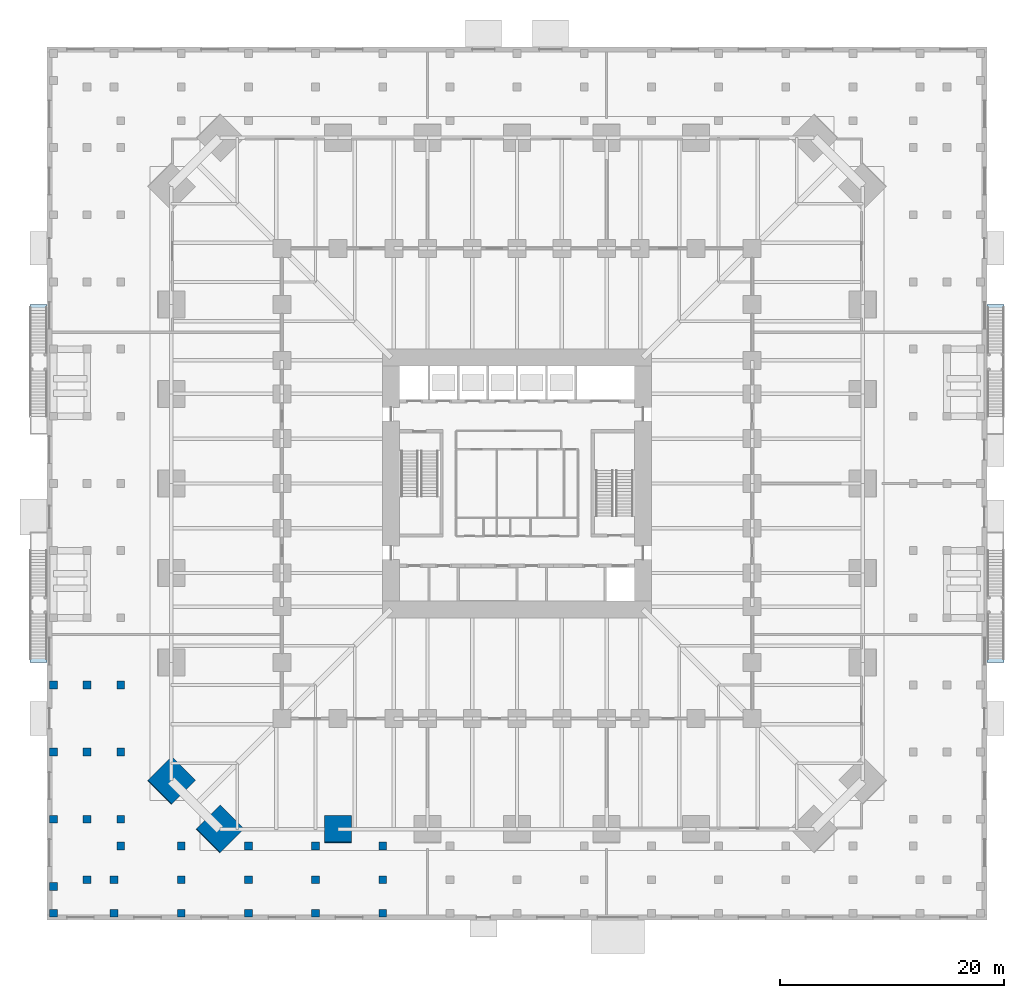
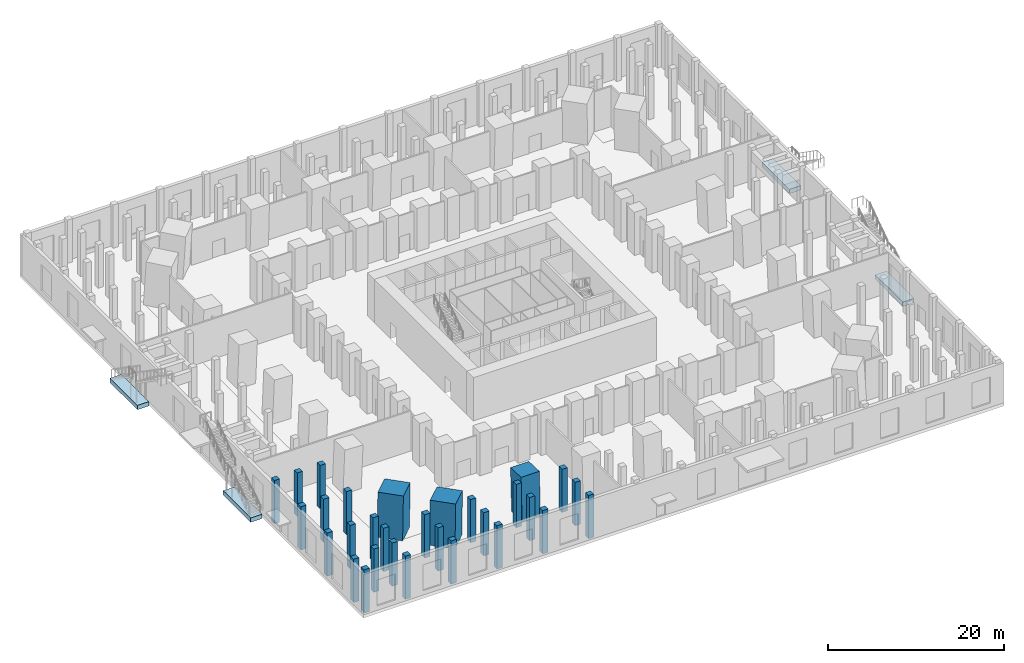
# One storey, part 1 of 20: 30 columns, 4 footings.
"""IFC4 building model written with IfcOpenShell, lengths in metres."""

from ifc_helpers import new_model, si_unit, direction, frame, origin, origin_2d, place, context, subcontext, project, spatial, polyline, rectangle, outline, extrude, material, layer, layer_set, material_profile, profile_set, type_object, element, save


model = new_model("IFC4")

# Units and contexts
model_context = context("Model", 3, precision=1e-05, world=origin(), true_north=direction((0.0, 1.0)))
body_context = subcontext(model_context, "Body", "Model", "MODEL_VIEW")
ifc_project = project(units=[si_unit("LENGTHUNIT", "METRE"), si_unit("AREAUNIT", "SQUARE_METRE"), si_unit("VOLUMEUNIT", "CUBIC_METRE"), si_unit("PLANEANGLEUNIT", "RADIAN"), si_unit("MASSUNIT", "GRAM", prefix="KILO")], contexts=[model_context])

# Site, building, storey
site_placement = place(None, origin())
site = spatial("IfcSite", under=ifc_project, at=site_placement, CompositionType="ELEMENT")
building_placement = place(site_placement, origin())
building = spatial("IfcBuilding", under=site, at=building_placement, Name="Peilmerk Tower", CompositionType="ELEMENT")
storey_placement = place(building_placement, origin())
storey = spatial("IfcBuildingStorey", under=building, at=storey_placement, Name="L00", CompositionType="ELEMENT", Elevation=0.0)

# Footings
ifc_material_1 = material(Name="Concrete C30/37", Category="concrete")
ifc_layer = layer(ifc_material_1, 0.60009765625)
ifc_layer_set = layer_set([ifc_layer], Name="Concrete C30/37")
footing_type = type_object("IfcFootingType", Name="FD1 1500x600 external stair strip footing", PredefinedType="STRIP_FOOTING", material=ifc_layer_set)
footing_1_placement = place(storey_placement, frame((0.0, 0.0, -0.60009765625)))
element("IfcFooting", 1, at=footing_1_placement, inside=storey, type_object=footing_type, Name="External stair 3 strip footing", PredefinedType="STRIP_FOOTING", context=body_context, shape_type="SweptSolid", body=[
    extrude(outline(polyline([(42.0, 9.75), (43.5, 9.75), (43.5, 16.0), (42.0, 16.0), (42.0, 9.75)])), origin(), (0.0, 0.0, 1.0), 0.60009765625),
])
footing_2_placement = place(storey_placement, frame((0.0, 0.0, -0.60009765625)))
element("IfcFooting", 2, at=footing_2_placement, inside=storey, type_object=footing_type, Name="External stair 4 strip footing", PredefinedType="STRIP_FOOTING", context=body_context, shape_type="SweptSolid", body=[
    extrude(outline(polyline([(42.0, -16.0), (43.5, -16.0), (43.5, -9.75), (42.0, -9.75), (42.0, -16.0)])), origin(), (0.0, 0.0, 1.0), 0.60009765625),
])
footing_3_placement = place(storey_placement, frame((0.0, 0.0, -0.60009765625)))
element("IfcFooting", 3, at=footing_3_placement, inside=storey, type_object=footing_type, Name="External stair 5 strip footing", PredefinedType="STRIP_FOOTING", context=body_context, shape_type="SweptSolid", body=[
    extrude(outline(polyline([(-43.5, 9.75), (-42.0, 9.75), (-42.0, 16.0), (-43.5, 16.0), (-43.5, 9.75)])), origin(), (0.0, 0.0, 1.0), 0.60009765625),
])
footing_4_placement = place(storey_placement, frame((0.0, 0.0, -0.60009765625)))
element("IfcFooting", 4, at=footing_4_placement, inside=storey, type_object=footing_type, Name="External stair 6 strip footing", PredefinedType="STRIP_FOOTING", context=body_context, shape_type="SweptSolid", body=[
    extrude(outline(polyline([(-43.5, -16.0), (-42.0, -16.0), (-42.0, -9.75), (-43.5, -9.75), (-43.5, -16.0)])), origin(), (0.0, 0.0, 1.0), 0.60009765625),
])

# Columns
ifc_material_2 = material(Name="Concrete C90/105", Category="concrete")
ifc_material_profile_1 = material_profile(ifc_material_2, rectangle(XDim=3.0, YDim=3.0, at=origin_2d()), Name="RC 3000x3000")
ifc_profile_set_1 = profile_set([ifc_material_profile_1], Name="Concrete C90/105")
column_type_1 = type_object("IfcColumnType", Name="MC1 3000x3000 encased mega column", PredefinedType="COLUMN", material=ifc_profile_set_1)
for number, where, z_axis, x_axis, name in (
    (5, (-26.546875, -30.896728515625, 0.0), (0.040258485407, 0.040258485407, 0.998377938811), (-0.707106781187, 0.707106781187, 0.0), "Mega column MC1 SW_S L00"),
    (6, (-30.896728515625, -26.546875, 0.0), (0.040258485407, 0.040258485407, 0.998377938811), (-0.707106781187, 0.707106781187, 0.0), "Mega column MC1 SW_W L00"),
):
    element("IfcColumn", number, at=place(storey_placement, frame(where, z_axis=z_axis, x_axis=x_axis)), inside=storey, type_object=column_type_1, Name=name, PredefinedType="COLUMN", context=body_context, shape_type="SweptSolid", body=[
        extrude(rectangle(XDim=3.0, YDim=3.0, at=origin_2d()), origin(), (0.0, 0.0, 1.0), 6.009765625),
    ])
ifc_material_3 = material(Name="Concrete C55/67", Category="concrete")
ifc_material_profile_2 = material_profile(ifc_material_3, rectangle(XDim=0.699951171875, YDim=0.699951171875, at=origin_2d()), Name="RC 700x700")
ifc_profile_set_2 = profile_set([ifc_material_profile_2], Name="Concrete C55/67")
column_type_2 = type_object("IfcColumnType", Name="PC1 700x700 podium column", PredefinedType="COLUMN", material=ifc_profile_set_2)
for number, where, z_axis, x_axis, name in (
    (7, (-35.39990234375, -32.39990234375, 0.0), (0.0, 0.0, 1.0), (1.0, 0.0, 0.0), "Podium column ring A L00"),
    (8, (-35.39990234375, -30.0, 0.0), (0.0, 0.0, 1.0), (1.0, 0.0, 0.0), "Podium column ring A L00"),
    (9, (-35.39990234375, -24.0, 0.0), (0.0, 0.0, 1.0), (1.0, 0.0, 0.0), "Podium column ring A L00"),
    (10, (-35.39990234375, -18.0, 0.0), (0.0, 0.0, 1.0), (1.0, 0.0, 0.0), "Podium column ring A L00"),
    (11, (-30.0, -32.39990234375, 0.0), (0.0, 0.0, 1.0), (1.0, 0.0, 0.0), "Podium column ring A L00"),
    (12, (-24.0, -32.39990234375, 0.0), (0.0, 0.0, 1.0), (1.0, 0.0, 0.0), "Podium column ring A L00"),
    (13, (-18.0, -32.39990234375, 0.0), (0.0, 0.0, 1.0), (1.0, 0.0, 0.0), "Podium column ring A L00"),
    (14, (-12.0, -32.39990234375, 0.0), (0.0, 0.0, 1.0), (1.0, 0.0, 0.0), "Podium column ring A L00"),
    (15, (-38.39990234375, -35.39990234375, 0.0), (0.0, 0.0, 1.0), (1.0, 0.0, 0.0), "Podium column ring B L00"),
    (16, (-38.39990234375, -30.0, 0.0), (0.0, 0.0, 1.0), (1.0, 0.0, 0.0), "Podium column ring B L00"),
    (17, (-38.39990234375, -24.0, 0.0), (0.0, 0.0, 1.0), (1.0, 0.0, 0.0), "Podium column ring B L00"),
    (18, (-38.39990234375, -18.0, 0.0), (0.0, 0.0, 1.0), (1.0, 0.0, 0.0), "Podium column ring B L00"),
    (19, (-36.0, -35.39990234375, 0.0), (0.0, 0.0, 1.0), (1.0, 0.0, 0.0), "Podium column ring B L00"),
    (20, (-30.0, -35.39990234375, 0.0), (0.0, 0.0, 1.0), (1.0, 0.0, 0.0), "Podium column ring B L00"),
    (21, (-24.0, -35.39990234375, 0.0), (0.0, 0.0, 1.0), (1.0, 0.0, 0.0), "Podium column ring B L00"),
    (22, (-18.0, -35.39990234375, 0.0), (0.0, 0.0, 1.0), (1.0, 0.0, 0.0), "Podium column ring B L00"),
    (23, (-12.0, -35.39990234375, 0.0), (0.0, 0.0, 1.0), (1.0, 0.0, 0.0), "Podium column ring B L00"),
    (24, (-41.39990234375, -38.39990234375, 0.0), (0.0, 0.0, 1.0), (1.0, 0.0, 0.0), "Podium column ring C L00"),
    (25, (-41.39990234375, -36.0, 0.0), (0.0, 0.0, 1.0), (1.0, 0.0, 0.0), "Podium column ring C L00"),
    (26, (-41.39990234375, -30.0, 0.0), (0.0, 0.0, 1.0), (1.0, 0.0, 0.0), "Podium column ring C L00"),
    (27, (-41.39990234375, -24.0, 0.0), (0.0, 0.0, 1.0), (1.0, 0.0, 0.0), "Podium column ring C L00"),
    (28, (-41.39990234375, -18.0, 0.0), (0.0, 0.0, 1.0), (1.0, 0.0, 0.0), "Podium column ring C L00"),
    (29, (-36.0, -38.39990234375, 0.0), (0.0, 0.0, 1.0), (1.0, 0.0, 0.0), "Podium column ring C L00"),
    (30, (-30.0, -38.39990234375, 0.0), (0.0, 0.0, 1.0), (1.0, 0.0, 0.0), "Podium column ring C L00"),
    (31, (-24.0, -38.39990234375, 0.0), (0.0, 0.0, 1.0), (1.0, 0.0, 0.0), "Podium column ring C L00"),
    (32, (-18.0, -38.39990234375, 0.0), (0.0, 0.0, 1.0), (1.0, 0.0, 0.0), "Podium column ring C L00"),
    (33, (-12.0, -38.39990234375, 0.0), (0.0, 0.0, 1.0), (1.0, 0.0, 0.0), "Podium column ring C L00"),
):
    element("IfcColumn", number, at=place(storey_placement, frame(where, z_axis=z_axis, x_axis=x_axis)), inside=storey, type_object=column_type_2, Name=name, PredefinedType="COLUMN", context=body_context, shape_type="SweptSolid", body=[
        extrude(rectangle(XDim=0.699951171875, YDim=0.699951171875, at=origin_2d()), origin(), (0.0, 0.0, 1.0), 6.0),
    ])
ifc_material_profile_3 = material_profile(ifc_material_2, rectangle(XDim=2.39990234375, YDim=2.39990234375, at=origin_2d()), Name="RC 2400x2400")
ifc_profile_set_3 = profile_set([ifc_material_profile_3], Name="Concrete C90/105")
column_type_3 = type_object("IfcColumnType", Name="SC1 2400x2400 encased perimeter column", PredefinedType="COLUMN", material=ifc_profile_set_3)
column_placement = place(storey_placement, frame((-16.0, -30.896728515625, 0.0), z_axis=(0.0, 0.0402911495, 0.999187981949), x_axis=(-1.0, 0.0, 0.0)))
element("IfcColumn", 34, at=column_placement, inside=storey, type_object=column_type_3, Name="Perimeter column S-16 L00", PredefinedType="COLUMN", context=body_context, shape_type="SweptSolid", body=[
    extrude(rectangle(XDim=2.39990234375, YDim=2.39990234375, at=origin_2d()), origin(), (0.0, 0.0, 1.0), 6.0048828125),
])

save(model, "model.ifc")
